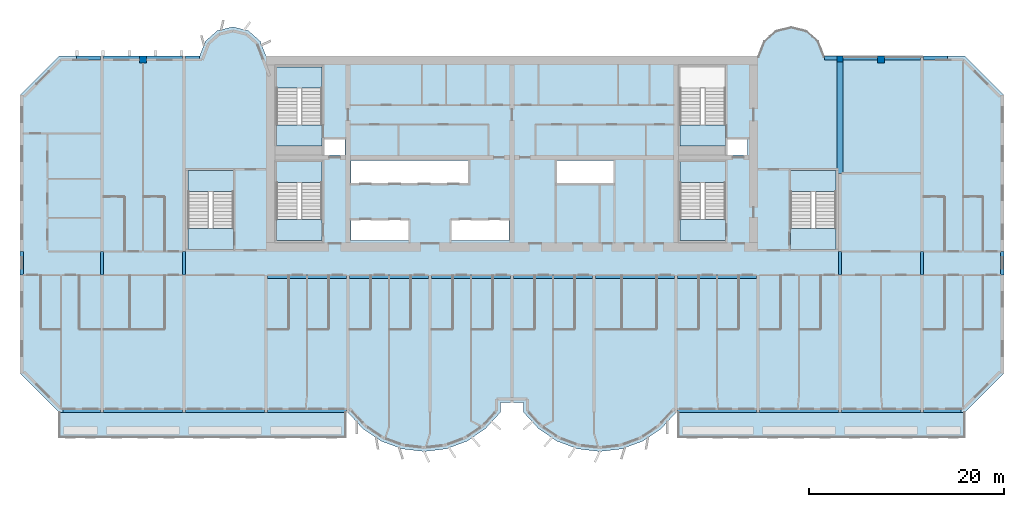
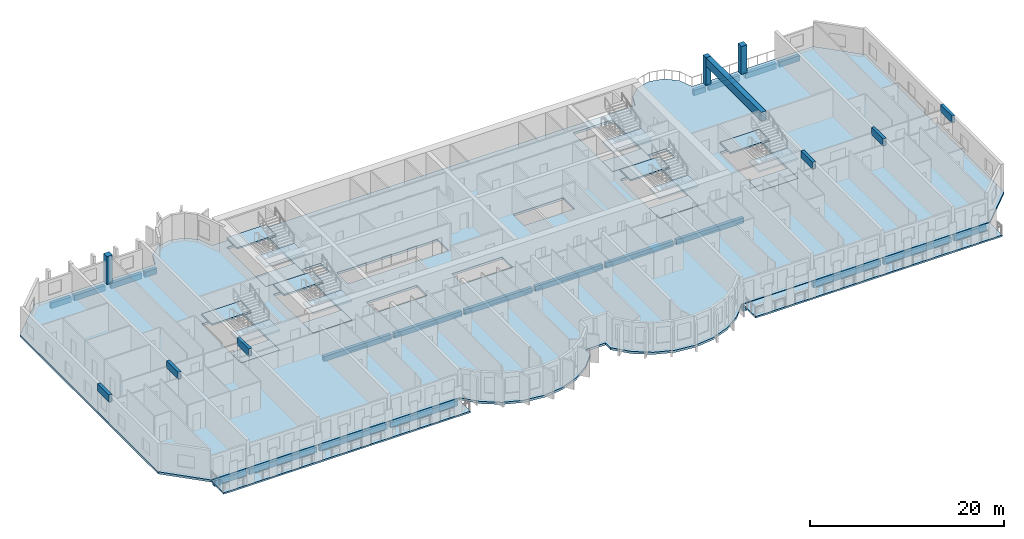
# One storey, part 1 of 15: 29 beams, 20 slabs, 3 columns, 6 elements without a shape of their own.
"""IFC4 building model written with IfcOpenShell, lengths in metres."""

from ifc_helpers import new_model, si_unit, direction, frame, origin, origin_2d, place, context, subcontext, project, spatial, polyline, rectangle, outline, extrude, source, transform, mapped, material, layer, layer_set, material_profile, profile_set, type_object, element, aggregate, save


model = new_model("IFC4")

# Units and contexts
model_context = context("Model", 3, precision=1e-05, world=origin(), true_north=direction((0.0, 1.0)))
body_context = subcontext(model_context, "Body", "Model", "MODEL_VIEW")
ifc_project = project(units=[si_unit("LENGTHUNIT", "METRE"), si_unit("AREAUNIT", "SQUARE_METRE"), si_unit("VOLUMEUNIT", "CUBIC_METRE"), si_unit("PLANEANGLEUNIT", "RADIAN"), si_unit("MASSUNIT", "GRAM", prefix="KILO")], contexts=[model_context])

# Site, building, storey
site_placement = place(None, origin())
site = spatial("IfcSite", under=ifc_project, at=site_placement, CompositionType="ELEMENT")
building_placement = place(site_placement, origin())
building = spatial("IfcBuilding", under=site, at=building_placement, Name="Vanashikhar Sky Hotel", CompositionType="ELEMENT")
storey_placement = place(building_placement, frame((0.0, 0.0, 91.39990234375)))
storey = spatial("IfcBuildingStorey", under=building, at=storey_placement, Name="L21", CompositionType="ELEMENT", Elevation=91.39990234375)

# Columns
ifc_material_1 = material(Name="Concrete M60", Category="concrete")
ifc_material_profile_1 = material_profile(ifc_material_1, rectangle(XDim=0.60009765625, YDim=0.60009765625, at=origin_2d()))
ifc_profile_set_1 = profile_set([ifc_material_profile_1], Name="RC 600x600 column Concrete M60")
column_type_1 = type_object("IfcColumnType", Name="RC 600x600 column Concrete M60", PredefinedType="COLUMN", material=ifc_profile_set_1)
shared_shape_1 = source(origin(), body_context, "Body", "SweptSolid", [
    extrude(rectangle(XDim=0.60009765625, YDim=0.60009765625, at=origin_2d()), origin(), (0.0, 0.0, 1.0), 3.52001953125),
])
column_placement = place(storey_placement, frame((84.0, 41.699951171875, 0.0), z_axis=(0.0, 0.0, 1.0), x_axis=(1.0, 0.0, 0.0)))
element("IfcColumn", 1, at=column_placement, inside=storey, type_object=column_type_1, Name="CL-L21-CRF", PredefinedType="COLUMN", context=body_context, shape_type="MappedRepresentation", body=[
    mapped(shared_shape_1, transform((0.0, 0.0, 0.0), scale=1.0)),
])
ifc_material_profile_2 = material_profile(ifc_material_1, rectangle(XDim=0.699951171875, YDim=0.699951171875, at=origin_2d()))
ifc_profile_set_2 = profile_set([ifc_material_profile_2], Name="RC 700x700 column Concrete M60")
column_type_2 = type_object("IfcColumnType", Name="RC 700x700 column Concrete M60", PredefinedType="COLUMN", material=ifc_profile_set_2)
shared_shape_2 = source(origin(), body_context, "Body", "SweptSolid", [
    extrude(rectangle(XDim=0.699951171875, YDim=0.699951171875, at=origin_2d()), origin(), (0.0, 0.0, 1.0), 3.52001953125),
])
for number, where, z_axis, x_axis, name in (
    (2, (12.60009765625, 41.64990234375, 0.0), (0.0, 0.0, 1.0), (1.0, 0.0, 0.0), "CL-L21-CR02"),
    (3, (88.199951171875, 41.64990234375, 0.0), (0.0, 0.0, 1.0), (1.0, 0.0, 0.0), "CL-L21-CR11"),
):
    element("IfcColumn", number, at=place(storey_placement, frame(where, z_axis=z_axis, x_axis=x_axis)), inside=storey, type_object=column_type_2, Name=name, PredefinedType="COLUMN", context=body_context, shape_type="MappedRepresentation", body=[
        mapped(shared_shape_2, transform((0.0, 0.0, 0.0), scale=1.0)),
    ])

# Beams
ifc_material_2 = material(Name="Concrete M50", Category="concrete")
ifc_material_profile_3 = material_profile(ifc_material_2, rectangle(XDim=0.60009765625, YDim=1.10009765625, at=origin_2d()))
ifc_profile_set_3 = profile_set([ifc_material_profile_3], Name="RC 600x1100 beam Concrete M50")
beam_type_1 = type_object("IfcBeamType", Name="RC 600x1100 beam Concrete M50", PredefinedType="BEAM", material=ifc_profile_set_3)
shared_shape_3 = source(origin(), body_context, "Body", "SweptSolid", [
    extrude(rectangle(XDim=0.60009765625, YDim=1.10009765625, at=origin_2d()), origin(), (0.0, 0.0, 1.0), 11.39990234375),
])
beam_1_placement = place(storey_placement, frame((84.0, 30.0, 2.97021484375), z_axis=(0.0, 1.0, 0.0), x_axis=(-1.0, 0.0, 0.0)))
element("IfcBeam", 4, at=beam_1_placement, inside=storey, type_object=beam_type_1, Name="LB-L21-XW11-O1", PredefinedType="BEAM", context=body_context, shape_type="MappedRepresentation", body=[
    mapped(shared_shape_3, transform((0.0, 0.0, 0.0), scale=1.0)),
])
ifc_material_profile_4 = material_profile(ifc_material_2, rectangle(XDim=0.35009765625, YDim=0.89990234375, at=origin_2d()))
ifc_profile_set_4 = profile_set([ifc_material_profile_4], Name="RC 350x900 beam Concrete M50")
beam_type_2 = type_object("IfcBeamType", Name="RC 350x900 beam Concrete M50", PredefinedType="LINTEL", material=ifc_profile_set_4)
shared_shape_4 = source(origin(), body_context, "Body", "SweptSolid", [
    extrude(rectangle(XDim=0.35009765625, YDim=0.89990234375, at=origin_2d()), origin(), (0.0, 0.0, 1.0), 2.39990234375),
])
for number, where, z_axis, x_axis, name in (
    (5, (0.175048828125, 19.60009765625, 3.070068359375), (0.0, 1.0, 0.0), (-1.0, 0.0, 0.0), "LB-L21-XW01"),
    (6, (8.39990234375, 19.60009765625, 3.070068359375), (0.0, 1.0, 0.0), (-1.0, 0.0, 0.0), "LB-L21-XW02"),
    (7, (16.800048828125, 19.60009765625, 3.070068359375), (0.0, 1.0, 0.0), (-1.0, 0.0, 0.0), "LB-L21-XW03"),
    (8, (84.0, 19.60009765625, 3.070068359375), (0.0, 1.0, 0.0), (-1.0, 0.0, 0.0), "LB-L21-XW11"),
    (9, (92.39990234375, 19.60009765625, 3.070068359375), (0.0, 1.0, 0.0), (-1.0, 0.0, 0.0), "LB-L21-XW12"),
    (10, (100.625, 19.60009765625, 3.070068359375), (0.0, 1.0, 0.0), (-1.0, 0.0, 0.0), "LB-L21-XW13"),
):
    element("IfcBeam", number, at=place(storey_placement, frame(where, z_axis=z_axis, x_axis=x_axis)), inside=storey, type_object=beam_type_2, Name=name, PredefinedType="LINTEL", context=body_context, shape_type="MappedRepresentation", body=[
        mapped(shared_shape_4, transform((0.0, 0.0, 0.0), scale=1.0)),
    ])
ifc_material_profile_5 = material_profile(ifc_material_2, rectangle(XDim=0.39990234375, YDim=0.699951171875, at=origin_2d()))
ifc_profile_set_5 = profile_set([ifc_material_profile_5], Name="RC 400x700 beam Concrete M50")
beam_type_3 = type_object("IfcBeamType", Name="RC 400x700 beam Concrete M50", PredefinedType="SPANDREL", material=ifc_profile_set_5)
shared_shape_5 = source(origin(), body_context, "Body", "SweptSolid", [
    extrude(rectangle(XDim=0.39990234375, YDim=0.699951171875, at=origin_2d()), origin(), (0.0, 0.0, 1.0), 8.050048828125),
])
for number, where, z_axis, x_axis, name in (
    (11, (8.574951171875, 5.699951171875, -0.6298828125), (1.0, 0.0, 0.0), (0.0, 1.0, 0.0), "EB-L21-F01"),
    (12, (25.375, 5.699951171875, -0.6298828125), (1.0, 0.0, 0.0), (0.0, 1.0, 0.0), "EB-L21-F03"),
    (13, (67.375, 5.699951171875, -0.6298828125), (1.0, 0.0, 0.0), (0.0, 1.0, 0.0), "EB-L21-F05"),
    (14, (75.77490234375, 5.699951171875, -0.6298828125), (1.0, 0.0, 0.0), (0.0, 1.0, 0.0), "EB-L21-F06"),
    (15, (84.175048828125, 5.699951171875, -0.6298828125), (1.0, 0.0, 0.0), (0.0, 1.0, 0.0), "EB-L21-F07"),
):
    element("IfcBeam", number, at=place(storey_placement, frame(where, z_axis=z_axis, x_axis=x_axis)), inside=storey, type_object=beam_type_3, Name=name, PredefinedType="SPANDREL", context=body_context, shape_type="MappedRepresentation", body=[
        mapped(shared_shape_5, transform((0.0, 0.0, 0.0), scale=1.0)),
    ])
shared_shape_6 = source(origin(), body_context, "Body", "SweptSolid", [
    extrude(rectangle(XDim=0.39990234375, YDim=0.699951171875, at=origin_2d()), origin(), (0.0, 0.0, 1.0), 8.0498046875),
])
beam_2_placement = place(storey_placement, frame((16.97509765625, 5.699951171875, -0.6298828125), z_axis=(1.0, 0.0, 0.0), x_axis=(0.0, 1.0, 0.0)))
element("IfcBeam", 16, at=beam_2_placement, inside=storey, type_object=beam_type_3, Name="EB-L21-F02", PredefinedType="SPANDREL", context=body_context, shape_type="MappedRepresentation", body=[
    mapped(shared_shape_6, transform((0.0, 0.0, 0.0), scale=1.0)),
])
ifc_material_profile_6 = material_profile(ifc_material_2, rectangle(XDim=0.39990234375, YDim=0.699951171875, at=origin_2d()))
ifc_profile_set_6 = profile_set([ifc_material_profile_6], Name="RC 400x700 cantilever beam Concrete M50")
beam_type_4 = type_object("IfcBeamType", Name="RC 400x700 cantilever beam Concrete M50", PredefinedType="SPANDREL", material=ifc_profile_set_6)
shared_shape_7 = source(origin(), body_context, "Body", "SweptSolid", [
    extrude(rectangle(XDim=0.39990234375, YDim=0.699951171875, at=origin_2d()), origin(), (0.0, 0.0, 1.0), 3.8251953125),
])
beam_3_placement = place(storey_placement, frame((4.39990234375, 5.699951171875, -0.6298828125), z_axis=(1.0, 0.0, 0.0), x_axis=(0.0, 1.0, 0.0)))
element("IfcBeam", 17, at=beam_3_placement, inside=storey, type_object=beam_type_4, Name="EB-L21-F04", PredefinedType="SPANDREL", context=body_context, shape_type="MappedRepresentation", body=[
    mapped(shared_shape_7, transform((0.0, 0.0, 0.0), scale=1.0)),
])
shared_shape_8 = source(origin(), body_context, "Body", "SweptSolid", [
    extrude(rectangle(XDim=0.39990234375, YDim=0.699951171875, at=origin_2d()), origin(), (0.0, 0.0, 1.0), 3.824951171875),
])
beam_4_placement = place(storey_placement, frame((92.574951171875, 5.699951171875, -0.6298828125), z_axis=(1.0, 0.0, 0.0), x_axis=(0.0, 1.0, 0.0)))
element("IfcBeam", 18, at=beam_4_placement, inside=storey, type_object=beam_type_4, Name="EB-L21-F08", PredefinedType="SPANDREL", context=body_context, shape_type="MappedRepresentation", body=[
    mapped(shared_shape_8, transform((0.0, 0.0, 0.0), scale=1.0)),
])
shared_shape_9 = source(origin(), body_context, "Body", "SweptSolid", [
    extrude(rectangle(XDim=0.39990234375, YDim=0.699951171875, at=origin_2d()), origin(), (0.0, 0.0, 1.0), 3.675048828125),
])
for number, where, z_axis, x_axis, name in (
    (19, (8.574951171875, 41.800048828125, -0.6298828125), (1.0, 0.0, 0.0), (0.0, 1.0, 0.0), "EB-L21-R01"),
    (20, (12.949951171875, 41.800048828125, -0.6298828125), (1.0, 0.0, 0.0), (0.0, 1.0, 0.0), "EB-L21-R02"),
    (21, (84.175048828125, 41.800048828125, -0.6298828125), (1.0, 0.0, 0.0), (0.0, 1.0, 0.0), "EB-L21-R05"),
    (22, (88.550048828125, 41.800048828125, -0.6298828125), (1.0, 0.0, 0.0), (0.0, 1.0, 0.0), "EB-L21-R06"),
):
    element("IfcBeam", number, at=place(storey_placement, frame(where, z_axis=z_axis, x_axis=x_axis)), inside=storey, type_object=beam_type_3, Name=name, PredefinedType="SPANDREL", context=body_context, shape_type="MappedRepresentation", body=[
        mapped(shared_shape_9, transform((0.0, 0.0, 0.0), scale=1.0)),
    ])
shared_shape_10 = source(origin(), body_context, "Body", "SweptSolid", [
    extrude(rectangle(XDim=0.39990234375, YDim=0.699951171875, at=origin_2d()), origin(), (0.0, 0.0, 1.0), 2.43017578125),
])
beam_5_placement = place(storey_placement, frame((5.794921875, 41.800048828125, -0.6298828125), z_axis=(1.0, 0.0, 0.0), x_axis=(0.0, 1.0, 0.0)))
element("IfcBeam", 23, at=beam_5_placement, inside=storey, type_object=beam_type_4, Name="EB-L21-R03", PredefinedType="SPANDREL", context=body_context, shape_type="MappedRepresentation", body=[
    mapped(shared_shape_10, transform((0.0, 0.0, 0.0), scale=1.0)),
])
shared_shape_11 = source(origin(), body_context, "Body", "SweptSolid", [
    extrude(rectangle(XDim=0.39990234375, YDim=0.699951171875, at=origin_2d()), origin(), (0.0, 0.0, 1.0), 1.4248046875),
])
beam_6_placement = place(storey_placement, frame((16.97509765625, 41.800048828125, -0.6298828125), z_axis=(1.0, 0.0, 0.0), x_axis=(0.0, 1.0, 0.0)))
element("IfcBeam", 24, at=beam_6_placement, inside=storey, type_object=beam_type_4, Name="EB-L21-R04", PredefinedType="SPANDREL", context=body_context, shape_type="MappedRepresentation", body=[
    mapped(shared_shape_11, transform((0.0, 0.0, 0.0), scale=1.0)),
])
shared_shape_12 = source(origin(), body_context, "Body", "SweptSolid", [
    extrude(rectangle(XDim=0.39990234375, YDim=0.699951171875, at=origin_2d()), origin(), (0.0, 0.0, 1.0), 1.425048828125),
])
beam_7_placement = place(storey_placement, frame((82.39990234375, 41.800048828125, -0.6298828125), z_axis=(1.0, 0.0, 0.0), x_axis=(0.0, 1.0, 0.0)))
element("IfcBeam", 25, at=beam_7_placement, inside=storey, type_object=beam_type_4, Name="EB-L21-R07", PredefinedType="SPANDREL", context=body_context, shape_type="MappedRepresentation", body=[
    mapped(shared_shape_12, transform((0.0, 0.0, 0.0), scale=1.0)),
])
shared_shape_13 = source(origin(), body_context, "Body", "SweptSolid", [
    extrude(rectangle(XDim=0.39990234375, YDim=0.699951171875, at=origin_2d()), origin(), (0.0, 0.0, 1.0), 2.429931640625),
])
beam_8_placement = place(storey_placement, frame((92.574951171875, 41.800048828125, -0.6298828125), z_axis=(1.0, 0.0, 0.0), x_axis=(0.0, 1.0, 0.0)))
element("IfcBeam", 26, at=beam_8_placement, inside=storey, type_object=beam_type_4, Name="EB-L21-R08", PredefinedType="SPANDREL", context=body_context, shape_type="MappedRepresentation", body=[
    mapped(shared_shape_13, transform((0.0, 0.0, 0.0), scale=1.0)),
])
ifc_material_profile_7 = material_profile(ifc_material_2, rectangle(XDim=0.39990234375, YDim=0.64990234375, at=origin_2d()))
ifc_profile_set_7 = profile_set([ifc_material_profile_7], Name="RC 400x650 beam Concrete M50")
beam_type_5 = type_object("IfcBeamType", Name="RC 400x650 beam Concrete M50", PredefinedType="BEAM", material=ifc_profile_set_7)
shared_shape_14 = source(origin(), body_context, "Body", "SweptSolid", [
    extrude(rectangle(XDim=0.39990234375, YDim=0.64990234375, at=origin_2d()), origin(), (0.0, 0.0, 1.0), 8.050048828125),
])
for number, where, z_axis, x_axis, name in (
    (27, (25.375, 19.39990234375, -0.60498046875), (1.0, 0.0, 0.0), (0.0, 1.0, 0.0), "CB-L21-01"),
    (28, (33.77490234375, 19.39990234375, -0.60498046875), (1.0, 0.0, 0.0), (0.0, 1.0, 0.0), "CB-L21-02"),
    (29, (42.175048828125, 19.39990234375, -0.60498046875), (1.0, 0.0, 0.0), (0.0, 1.0, 0.0), "CB-L21-03"),
    (30, (50.574951171875, 19.39990234375, -0.60498046875), (1.0, 0.0, 0.0), (0.0, 1.0, 0.0), "CB-L21-04"),
    (31, (67.375, 19.39990234375, -0.60498046875), (1.0, 0.0, 0.0), (0.0, 1.0, 0.0), "CB-L21-06"),
):
    element("IfcBeam", number, at=place(storey_placement, frame(where, z_axis=z_axis, x_axis=x_axis)), inside=storey, type_object=beam_type_5, Name=name, PredefinedType="BEAM", context=body_context, shape_type="MappedRepresentation", body=[
        mapped(shared_shape_14, transform((0.0, 0.0, 0.0), scale=1.0)),
    ])
shared_shape_15 = source(origin(), body_context, "Body", "SweptSolid", [
    extrude(rectangle(XDim=0.39990234375, YDim=0.64990234375, at=origin_2d()), origin(), (0.0, 0.0, 1.0), 8.0498046875),
])
beam_9_placement = place(storey_placement, frame((58.97509765625, 19.39990234375, -0.60498046875), z_axis=(1.0, 0.0, 0.0), x_axis=(0.0, 1.0, 0.0)))
element("IfcBeam", 32, at=beam_9_placement, inside=storey, type_object=beam_type_5, Name="CB-L21-05", PredefinedType="BEAM", context=body_context, shape_type="MappedRepresentation", body=[
    mapped(shared_shape_15, transform((0.0, 0.0, 0.0), scale=1.0)),
])

# Slabs
ifc_material_3 = material(Name="Concrete M40", Category="concrete")
ifc_layer_1 = layer(ifc_material_3, 0.280029296875)
ifc_layer_set_1 = layer_set([ifc_layer_1], Name="Floor slab 280 mm")
slab_type_1 = type_object("IfcSlabType", Name="Floor slab 280 mm", PredefinedType="FLOOR", material=ifc_layer_set_1)
shared_shape_16 = source(origin(), body_context, "Body", "SweptSolid", [
    extrude(outline(polyline([(49.199951171875, 5.5), (49.199951171875, 6.5), (51.60009765625, 6.5), (51.60009765625, 5.5), (53.133056640625, 3.825927734375), (55.01708984375, 2.55810546875), (57.14599609375, 1.76806640625), (59.39990234375, 1.5), (61.654052734375, 1.76806640625), (63.782958984375, 2.55810546875), (65.6669921875, 3.825927734375), (67.199951171875, 5.5), (96.800048828125, 5.5), (100.800048828125, 9.5), (100.800048828125, 38.0), (96.800048828125, 42.0), (82.39990234375, 42.0), (81.81494140625, 43.527099609375), (80.587890625, 44.610107421875), (79.0, 45.0), (77.412109375, 44.610107421875), (76.18505859375, 43.527099609375), (75.60009765625, 42.0), (25.199951171875, 42.0), (24.614990234375, 43.527099609375), (23.387939453125, 44.610107421875), (21.800048828125, 45.0), (20.2119140625, 44.610107421875), (18.985107421875, 43.527099609375), (18.39990234375, 42.0), (4.0, 42.0), (0.0, 38.0), (0.0, 9.5), (4.0, 5.5), (33.60009765625, 5.5), (35.133056640625, 3.825927734375), (37.01708984375, 2.55810546875), (39.14599609375, 1.76806640625), (41.39990234375, 1.5), (43.654052734375, 1.76806640625), (45.782958984375, 2.55810546875), (47.6669921875, 3.825927734375), (49.199951171875, 5.5)]), holes=[polyline([(33.300048828125, 33.60009765625), (31.050048828125, 33.60009765625), (31.050048828125, 31.89990234375), (33.300048828125, 31.89990234375), (33.300048828125, 33.60009765625)]), polyline([(33.89990234375, 25.199951171875), (33.89990234375, 23.10009765625), (39.89990234375, 23.10009765625), (39.89990234375, 25.199951171875), (33.89990234375, 25.199951171875)]), polyline([(33.89990234375, 31.300048828125), (33.89990234375, 29.0), (45.89990234375, 29.0), (45.89990234375, 31.300048828125), (33.89990234375, 31.300048828125)]), polyline([(44.10009765625, 25.199951171875), (44.10009765625, 23.10009765625), (50.10009765625, 23.10009765625), (50.10009765625, 25.199951171875), (44.10009765625, 25.199951171875)]), polyline([(54.89990234375, 31.300048828125), (54.89990234375, 29.0), (60.89990234375, 29.0), (60.89990234375, 31.300048828125), (54.89990234375, 31.300048828125)]), polyline([(74.5, 33.60009765625), (72.35009765625, 33.60009765625), (72.35009765625, 31.89990234375), (74.5, 31.89990234375), (74.5, 33.60009765625)]), polyline([(30.949951171875, 23.10009765625), (30.949951171875, 31.199951171875), (26.300048828125, 31.199951171875), (26.300048828125, 23.10009765625), (30.949951171875, 23.10009765625)]), polyline([(72.25, 23.10009765625), (72.25, 31.199951171875), (67.60009765625, 31.199951171875), (67.60009765625, 23.10009765625), (72.25, 23.10009765625)]), polyline([(30.949951171875, 32.800048828125), (30.949951171875, 40.89990234375), (26.300048828125, 40.89990234375), (26.300048828125, 32.800048828125), (30.949951171875, 32.800048828125)]), polyline([(72.25, 32.800048828125), (72.25, 40.89990234375), (67.60009765625, 40.89990234375), (67.60009765625, 32.800048828125), (72.25, 32.800048828125)]), polyline([(83.60009765625, 22.199951171875), (83.60009765625, 30.300048828125), (78.949951171875, 30.300048828125), (78.949951171875, 22.199951171875), (83.60009765625, 22.199951171875)]), polyline([(21.85009765625, 22.199951171875), (21.85009765625, 30.300048828125), (17.199951171875, 30.300048828125), (17.199951171875, 22.199951171875), (21.85009765625, 22.199951171875)])]), origin(), (0.0, 0.0, 1.0), 0.27978515625),
])
slab_1_placement = place(storey_placement, frame((0.0, 0.0, -0.27978515625)))
element("IfcSlab", 33, at=slab_1_placement, inside=storey, type_object=slab_type_1, Name="Floor slab L21", PredefinedType="FLOOR", context=body_context, shape_type="MappedRepresentation", body=[
    mapped(shared_shape_16, transform((0.0, 0.0, 0.0), scale=1.0)),
])
ifc_layer_2 = layer(ifc_material_3, 0.199951171875)
ifc_layer_set_2 = layer_set([ifc_layer_2], Name="Balcony slab 200 mm")
slab_type_2 = type_object("IfcSlabType", Name="Balcony slab 200 mm", PredefinedType="USERDEFINED", material=ifc_layer_set_2)
shared_shape_17 = source(origin(), body_context, "Body", "SweptSolid", [
    extrude(outline(polyline([(4.0, 2.89990234375), (33.39990234375, 2.89990234375), (33.39990234375, 5.5), (4.0, 5.5), (4.0, 2.89990234375)])), origin(), (0.0, 0.0, 1.0), 0.2001953125),
])
slab_2_placement = place(storey_placement, frame((0.0, 0.0, -0.25)))
element("IfcSlab", 34, at=slab_2_placement, inside=storey, type_object=slab_type_2, Name="Balcony slab L21 1", ObjectType="BALCONY", PredefinedType="USERDEFINED", context=body_context, shape_type="MappedRepresentation", body=[
    mapped(shared_shape_17, transform((0.0, 0.0, 0.0), scale=1.0)),
])
shared_shape_18 = source(origin(), body_context, "Body", "SweptSolid", [
    extrude(outline(polyline([(67.39990234375, 2.89990234375), (96.800048828125, 2.89990234375), (96.800048828125, 5.5), (67.39990234375, 5.5), (67.39990234375, 2.89990234375)])), origin(), (0.0, 0.0, 1.0), 0.2001953125),
])
slab_3_placement = place(storey_placement, frame((0.0, 0.0, -0.25)))
element("IfcSlab", 35, at=slab_3_placement, inside=storey, type_object=slab_type_2, Name="Balcony slab L21 2", ObjectType="BALCONY", PredefinedType="USERDEFINED", context=body_context, shape_type="MappedRepresentation", body=[
    mapped(shared_shape_18, transform((0.0, 0.0, 0.0), scale=1.0)),
])

# Stair, slabs
stair_type = type_object("IfcStairType", Name="Exit stair 2150", PredefinedType="DOUBLE_RETURN_STAIR", material=ifc_material_3)
stair_1_placement = place(storey_placement, origin())
stair_1 = element("IfcStair", 36, at=stair_1_placement, inside=storey, type_object=stair_type, Name="L21 Exit stair 1", PredefinedType="DOUBLE_RETURN_STAIR")
ifc_layer_3 = layer(ifc_material_3, 0.199951171875)
ifc_layer_set_3 = layer_set([ifc_layer_3], Name="Stair landing 200")
slab_type_3 = type_object("IfcSlabType", Name="Stair landing 200", PredefinedType="LANDING", material=ifc_layer_set_3)
shared_shape_19 = source(origin(), body_context, "Body", "SweptSolid", [
    extrude(outline(polyline([(30.949951171875, 23.10009765625), (30.949951171875, 25.25), (26.300048828125, 25.25), (26.300048828125, 23.10009765625), (30.949951171875, 23.10009765625)])), origin(), (0.0, 0.0, 1.0), 0.199951171875),
])
slab_4_placement = place(storey_placement, frame((0.0, 0.0, 2.33349609375)))
slab_4 = element("IfcSlab", 37, at=slab_4_placement, type_object=slab_type_3, Name="ST-C1 landing 2", PredefinedType="LANDING", context=body_context, shape_type="MappedRepresentation", body=[
    mapped(shared_shape_19, transform((0.0, 0.0, 0.0), scale=1.0)),
])
shared_shape_20 = source(origin(), body_context, "Body", "SweptSolid", [
    extrude(outline(polyline([(30.949951171875, 29.050048828125), (30.949951171875, 31.199951171875), (26.300048828125, 31.199951171875), (26.300048828125, 29.050048828125), (30.949951171875, 29.050048828125)])), origin(), (0.0, 0.0, 1.0), 0.2001953125),
])
slab_5_placement = place(storey_placement, frame((0.0, 0.0, 1.066650390625)))
slab_5 = element("IfcSlab", 38, at=slab_5_placement, type_object=slab_type_3, Name="ST-C1 landing 1", PredefinedType="LANDING", context=body_context, shape_type="MappedRepresentation", body=[
    mapped(shared_shape_20, transform((0.0, 0.0, 0.0), scale=1.0)),
])
aggregate(stair_1, [slab_5, slab_4])

# Slab
ifc_layer_4 = layer(ifc_material_3, 0.280029296875)
ifc_layer_set_4 = layer_set([ifc_layer_4], Name="Stair floor landing 280")
slab_type_4 = type_object("IfcSlabType", Name="Stair floor landing 280", PredefinedType="LANDING", material=ifc_layer_set_4)
shared_shape_21 = source(origin(), body_context, "Body", "SweptSolid", [
    extrude(outline(polyline([(30.949951171875, 23.10009765625), (30.949951171875, 25.25), (26.300048828125, 25.25), (26.300048828125, 23.10009765625), (30.949951171875, 23.10009765625)])), origin(), (0.0, 0.0, 1.0), 0.27978515625),
])
slab_6_placement = place(storey_placement, frame((0.0, 0.0, -0.27978515625)))
element("IfcSlab", 39, at=slab_6_placement, inside=storey, type_object=slab_type_4, Name="Exit stair 1 floor landing", PredefinedType="LANDING", context=body_context, shape_type="MappedRepresentation", body=[
    mapped(shared_shape_21, transform((0.0, 0.0, 0.0), scale=1.0)),
])

# Stair, slabs
stair_2_placement = place(storey_placement, origin())
stair_2 = element("IfcStair", 40, at=stair_2_placement, inside=storey, type_object=stair_type, Name="L21 Exit stair 2", PredefinedType="DOUBLE_RETURN_STAIR")
shared_shape_22 = source(origin(), body_context, "Body", "SweptSolid", [
    extrude(outline(polyline([(72.25, 23.10009765625), (72.25, 25.25), (67.60009765625, 25.25), (67.60009765625, 23.10009765625), (72.25, 23.10009765625)])), origin(), (0.0, 0.0, 1.0), 0.199951171875),
])
slab_7_placement = place(storey_placement, frame((0.0, 0.0, 2.33349609375)))
slab_7 = element("IfcSlab", 41, at=slab_7_placement, type_object=slab_type_3, Name="ST-C2 landing 2", PredefinedType="LANDING", context=body_context, shape_type="MappedRepresentation", body=[
    mapped(shared_shape_22, transform((0.0, 0.0, 0.0), scale=1.0)),
])
shared_shape_23 = source(origin(), body_context, "Body", "SweptSolid", [
    extrude(outline(polyline([(72.25, 29.050048828125), (72.25, 31.199951171875), (67.60009765625, 31.199951171875), (67.60009765625, 29.050048828125), (72.25, 29.050048828125)])), origin(), (0.0, 0.0, 1.0), 0.2001953125),
])
slab_8_placement = place(storey_placement, frame((0.0, 0.0, 1.066650390625)))
slab_8 = element("IfcSlab", 42, at=slab_8_placement, type_object=slab_type_3, Name="ST-C2 landing 1", PredefinedType="LANDING", context=body_context, shape_type="MappedRepresentation", body=[
    mapped(shared_shape_23, transform((0.0, 0.0, 0.0), scale=1.0)),
])
aggregate(stair_2, [slab_8, slab_7])

# Slab
shared_shape_24 = source(origin(), body_context, "Body", "SweptSolid", [
    extrude(outline(polyline([(72.25, 23.10009765625), (72.25, 25.25), (67.60009765625, 25.25), (67.60009765625, 23.10009765625), (72.25, 23.10009765625)])), origin(), (0.0, 0.0, 1.0), 0.27978515625),
])
slab_9_placement = place(storey_placement, frame((0.0, 0.0, -0.27978515625)))
element("IfcSlab", 43, at=slab_9_placement, inside=storey, type_object=slab_type_4, Name="Exit stair 2 floor landing", PredefinedType="LANDING", context=body_context, shape_type="MappedRepresentation", body=[
    mapped(shared_shape_24, transform((0.0, 0.0, 0.0), scale=1.0)),
])

# Stair, slabs
stair_3_placement = place(storey_placement, origin())
stair_3 = element("IfcStair", 44, at=stair_3_placement, inside=storey, type_object=stair_type, Name="L21 Exit stair 3", PredefinedType="DOUBLE_RETURN_STAIR")
shared_shape_25 = source(origin(), body_context, "Body", "SweptSolid", [
    extrude(outline(polyline([(21.85009765625, 22.199951171875), (21.85009765625, 24.35009765625), (17.199951171875, 24.35009765625), (17.199951171875, 22.199951171875), (21.85009765625, 22.199951171875)])), origin(), (0.0, 0.0, 1.0), 0.199951171875),
])
slab_10_placement = place(storey_placement, frame((0.0, 0.0, 2.33349609375)))
slab_10 = element("IfcSlab", 45, at=slab_10_placement, type_object=slab_type_3, Name="ST-W landing 2", PredefinedType="LANDING", context=body_context, shape_type="MappedRepresentation", body=[
    mapped(shared_shape_25, transform((0.0, 0.0, 0.0), scale=1.0)),
])
shared_shape_26 = source(origin(), body_context, "Body", "SweptSolid", [
    extrude(outline(polyline([(21.85009765625, 28.14990234375), (21.85009765625, 30.300048828125), (17.199951171875, 30.300048828125), (17.199951171875, 28.14990234375), (21.85009765625, 28.14990234375)])), origin(), (0.0, 0.0, 1.0), 0.2001953125),
])
slab_11_placement = place(storey_placement, frame((0.0, 0.0, 1.066650390625)))
slab_11 = element("IfcSlab", 46, at=slab_11_placement, type_object=slab_type_3, Name="ST-W landing 1", PredefinedType="LANDING", context=body_context, shape_type="MappedRepresentation", body=[
    mapped(shared_shape_26, transform((0.0, 0.0, 0.0), scale=1.0)),
])
aggregate(stair_3, [slab_11, slab_10])

# Slab
shared_shape_27 = source(origin(), body_context, "Body", "SweptSolid", [
    extrude(outline(polyline([(21.85009765625, 22.199951171875), (21.85009765625, 24.35009765625), (17.199951171875, 24.35009765625), (17.199951171875, 22.199951171875), (21.85009765625, 22.199951171875)])), origin(), (0.0, 0.0, 1.0), 0.27978515625),
])
slab_12_placement = place(storey_placement, frame((0.0, 0.0, -0.27978515625)))
element("IfcSlab", 47, at=slab_12_placement, inside=storey, type_object=slab_type_4, Name="Exit stair 3 floor landing", PredefinedType="LANDING", context=body_context, shape_type="MappedRepresentation", body=[
    mapped(shared_shape_27, transform((0.0, 0.0, 0.0), scale=1.0)),
])

# Stair, slabs
stair_4_placement = place(storey_placement, origin())
stair_4 = element("IfcStair", 48, at=stair_4_placement, inside=storey, type_object=stair_type, Name="L21 Exit stair 4", PredefinedType="DOUBLE_RETURN_STAIR")
shared_shape_28 = source(origin(), body_context, "Body", "SweptSolid", [
    extrude(outline(polyline([(83.60009765625, 22.199951171875), (83.60009765625, 24.35009765625), (78.949951171875, 24.35009765625), (78.949951171875, 22.199951171875), (83.60009765625, 22.199951171875)])), origin(), (0.0, 0.0, 1.0), 0.199951171875),
])
slab_13_placement = place(storey_placement, frame((0.0, 0.0, 2.33349609375)))
slab_13 = element("IfcSlab", 49, at=slab_13_placement, type_object=slab_type_3, Name="ST-E landing 2", PredefinedType="LANDING", context=body_context, shape_type="MappedRepresentation", body=[
    mapped(shared_shape_28, transform((0.0, 0.0, 0.0), scale=1.0)),
])
shared_shape_29 = source(origin(), body_context, "Body", "SweptSolid", [
    extrude(outline(polyline([(83.60009765625, 28.14990234375), (83.60009765625, 30.300048828125), (78.949951171875, 30.300048828125), (78.949951171875, 28.14990234375), (83.60009765625, 28.14990234375)])), origin(), (0.0, 0.0, 1.0), 0.2001953125),
])
slab_14_placement = place(storey_placement, frame((0.0, 0.0, 1.066650390625)))
slab_14 = element("IfcSlab", 50, at=slab_14_placement, type_object=slab_type_3, Name="ST-E landing 1", PredefinedType="LANDING", context=body_context, shape_type="MappedRepresentation", body=[
    mapped(shared_shape_29, transform((0.0, 0.0, 0.0), scale=1.0)),
])
aggregate(stair_4, [slab_14, slab_13])

# Slab
shared_shape_30 = source(origin(), body_context, "Body", "SweptSolid", [
    extrude(outline(polyline([(83.60009765625, 22.199951171875), (83.60009765625, 24.35009765625), (78.949951171875, 24.35009765625), (78.949951171875, 22.199951171875), (83.60009765625, 22.199951171875)])), origin(), (0.0, 0.0, 1.0), 0.27978515625),
])
slab_15_placement = place(storey_placement, frame((0.0, 0.0, -0.27978515625)))
element("IfcSlab", 51, at=slab_15_placement, inside=storey, type_object=slab_type_4, Name="Exit stair 4 floor landing", PredefinedType="LANDING", context=body_context, shape_type="MappedRepresentation", body=[
    mapped(shared_shape_30, transform((0.0, 0.0, 0.0), scale=1.0)),
])

# Stair, slabs
stair_5_placement = place(storey_placement, origin())
stair_5 = element("IfcStair", 52, at=stair_5_placement, inside=storey, type_object=stair_type, Name="L21 Exit stair 5", PredefinedType="DOUBLE_RETURN_STAIR")
shared_shape_31 = source(origin(), body_context, "Body", "SweptSolid", [
    extrude(outline(polyline([(30.949951171875, 32.800048828125), (30.949951171875, 34.949951171875), (26.300048828125, 34.949951171875), (26.300048828125, 32.800048828125), (30.949951171875, 32.800048828125)])), origin(), (0.0, 0.0, 1.0), 0.199951171875),
])
slab_16_placement = place(storey_placement, frame((0.0, 0.0, 2.33349609375)))
slab_16 = element("IfcSlab", 53, at=slab_16_placement, type_object=slab_type_3, Name="ST-C3 landing 2", PredefinedType="LANDING", context=body_context, shape_type="MappedRepresentation", body=[
    mapped(shared_shape_31, transform((0.0, 0.0, 0.0), scale=1.0)),
])
shared_shape_32 = source(origin(), body_context, "Body", "SweptSolid", [
    extrude(outline(polyline([(30.949951171875, 38.75), (30.949951171875, 40.89990234375), (26.300048828125, 40.89990234375), (26.300048828125, 38.75), (30.949951171875, 38.75)])), origin(), (0.0, 0.0, 1.0), 0.2001953125),
])
slab_17_placement = place(storey_placement, frame((0.0, 0.0, 1.066650390625)))
slab_17 = element("IfcSlab", 54, at=slab_17_placement, type_object=slab_type_3, Name="ST-C3 landing 1", PredefinedType="LANDING", context=body_context, shape_type="MappedRepresentation", body=[
    mapped(shared_shape_32, transform((0.0, 0.0, 0.0), scale=1.0)),
])
aggregate(stair_5, [slab_17, slab_16])

# Slab
shared_shape_33 = source(origin(), body_context, "Body", "SweptSolid", [
    extrude(outline(polyline([(30.949951171875, 32.800048828125), (30.949951171875, 34.949951171875), (26.300048828125, 34.949951171875), (26.300048828125, 32.800048828125), (30.949951171875, 32.800048828125)])), origin(), (0.0, 0.0, 1.0), 0.27978515625),
])
slab_18_placement = place(storey_placement, frame((0.0, 0.0, -0.27978515625)))
element("IfcSlab", 55, at=slab_18_placement, inside=storey, type_object=slab_type_4, Name="Exit stair 5 floor landing", PredefinedType="LANDING", context=body_context, shape_type="MappedRepresentation", body=[
    mapped(shared_shape_33, transform((0.0, 0.0, 0.0), scale=1.0)),
])

# Stair, slab
stair_6_placement = place(storey_placement, origin())
stair_6 = element("IfcStair", 56, at=stair_6_placement, inside=storey, type_object=stair_type, Name="L21 Exit stair 6", PredefinedType="DOUBLE_RETURN_STAIR")
shared_shape_34 = source(origin(), body_context, "Body", "SweptSolid", [
    extrude(outline(polyline([(72.25, 32.800048828125), (72.25, 34.949951171875), (67.60009765625, 34.949951171875), (67.60009765625, 32.800048828125), (72.25, 32.800048828125)])), origin(), (0.0, 0.0, 1.0), 0.199951171875),
])
slab_19_placement = place(storey_placement, frame((0.0, 0.0, 2.33349609375)))
slab_19 = element("IfcSlab", 57, at=slab_19_placement, type_object=slab_type_3, Name="ST-C4 landing 2", PredefinedType="LANDING", context=body_context, shape_type="MappedRepresentation", body=[
    mapped(shared_shape_34, transform((0.0, 0.0, 0.0), scale=1.0)),
])
aggregate(stair_6, [slab_19])

# Slab
shared_shape_35 = source(origin(), body_context, "Body", "SweptSolid", [
    extrude(outline(polyline([(72.25, 32.800048828125), (72.25, 34.949951171875), (67.60009765625, 34.949951171875), (67.60009765625, 32.800048828125), (72.25, 32.800048828125)])), origin(), (0.0, 0.0, 1.0), 0.27978515625),
])
slab_20_placement = place(storey_placement, frame((0.0, 0.0, -0.27978515625)))
element("IfcSlab", 58, at=slab_20_placement, inside=storey, type_object=slab_type_4, Name="Exit stair 6 floor landing", PredefinedType="LANDING", context=body_context, shape_type="MappedRepresentation", body=[
    mapped(shared_shape_35, transform((0.0, 0.0, 0.0), scale=1.0)),
])

save(model, "model.ifc")
